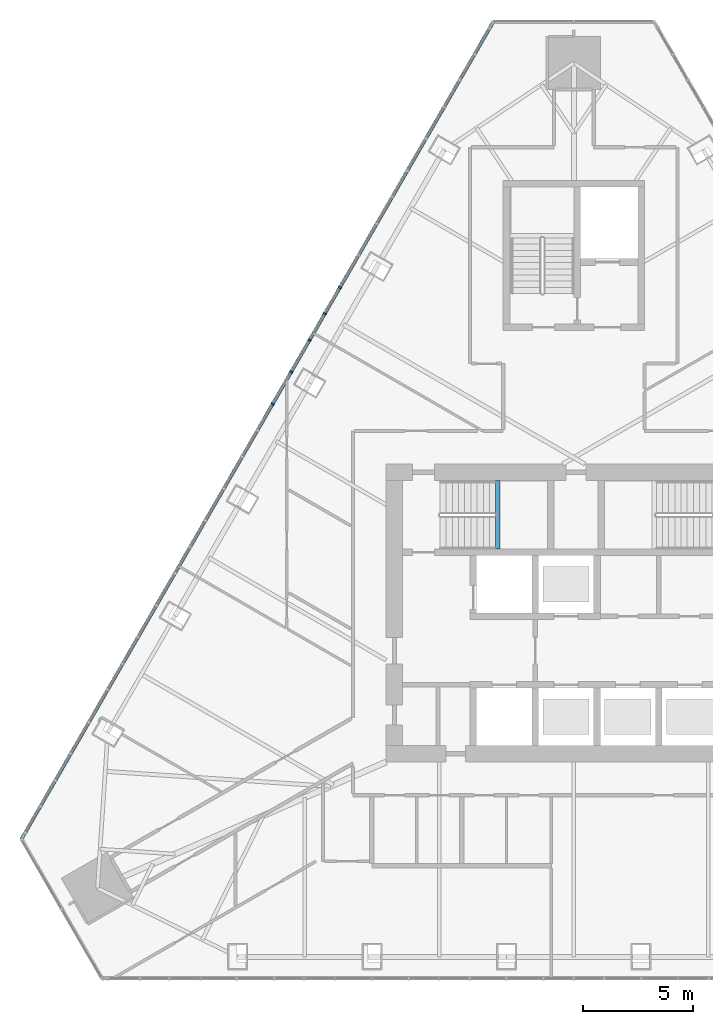
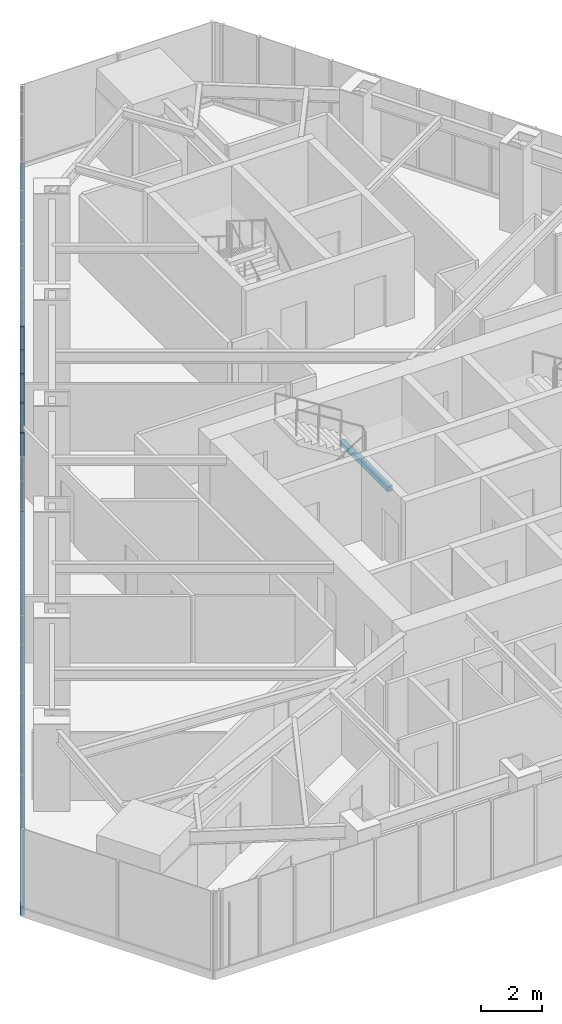
# One storey, part 5 of 20: 6 members, 1 beam, 1 element without a shape of its own.
"""IFC4 building model written with IfcOpenShell, lengths in metres."""

import ifcopenshell
import ifcopenshell.guid

model = None  # the IFC model being written
_history = None  # IfcOwnerHistory: only IFC2X3 demands one
_inside = {}  # id of a spatial element -> (the spatial element, [elements in it])
_under = {}  # id of a project, library or spatial element -> (it, [spatial elements below it])
_declared = {}  # id of a project -> (the project, [libraries it declares])
_typed = {}  # id of a type object -> (the type object, [elements of that type])
_made_of = {}  # id of a material, layer set ... -> (it, [elements and type objects made of it])


def new_model(schema):
    """Start an empty IFC model of exactly this schema.

    Asked for "IFC4X3", IfcOpenShell would pick the latest addendum, in which some entities
    have other attributes; the version numbers below select the first issue.
    IFC2X3 requires an IfcOwnerHistory on every rooted entity: one is made here for all.
    """
    global model, _history
    if schema == "IFC4X3":
        model = ifcopenshell.file(schema_version=(4, 3, 0, 0))
    else:
        model = ifcopenshell.file(schema=schema)
    _inside.clear()
    _under.clear()
    _declared.clear()
    _typed.clear()
    _made_of.clear()
    _history = None
    if model.schema == "IFC2X3":
        org = make("IfcOrganization", Name="unknown")
        user = make(
            "IfcPersonAndOrganization",
            ThePerson=make("IfcPerson", FamilyName="unknown"),
            TheOrganization=org,
        )
        app = make(
            "IfcApplication",
            ApplicationDeveloper=org,
            Version="unknown",
            ApplicationFullName="unknown",
            ApplicationIdentifier="unknown",
        )
        _history = make(
            "IfcOwnerHistory",
            OwningUser=user,
            OwningApplication=app,
            ChangeAction="ADDED",
            CreationDate=0,
        )
    return model


def make(cls, **values):
    """One entity of the class cls with the attributes given. An attribute that is None is left unset."""
    return model.create_entity(
        cls, **{name: value for name, value in values.items() if value is not None}
    )


def rooted(cls, **values):
    """An entity with a GlobalId (a new one), such as an element, a storey or a relation."""
    return make(cls, GlobalId=ifcopenshell.guid.new(), OwnerHistory=_history, **values)


def si_unit(unit_type, name, prefix=None):
    """IfcSIUnit, for example si_unit("LENGTHUNIT", "METRE", prefix="MILLI")."""
    return make("IfcSIUnit", UnitType=unit_type, Prefix=prefix, Name=name)


def assignment(units):
    """IfcUnitAssignment: the units of a project."""
    return None if units is None else make("IfcUnitAssignment", Units=units)


def point(xyz):
    """IfcCartesianPoint."""
    return None if xyz is None else make("IfcCartesianPoint", Coordinates=xyz)


def direction(xyz):
    """IfcDirection."""
    return None if xyz is None else make("IfcDirection", DirectionRatios=xyz)


def frame(location, z_axis=None, x_axis=None):
    """IfcAxis2Placement3D, a coordinate frame: its origin and axes. An axis left out is left unset."""
    return make(
        "IfcAxis2Placement3D",
        Location=point(location),
        Axis=direction(z_axis),
        RefDirection=direction(x_axis),
    )


def frame_2d(location, x_axis=None):
    """IfcAxis2Placement2D, a coordinate frame in the plane: its origin and x axis."""
    return make(
        "IfcAxis2Placement2D", Location=point(location), RefDirection=direction(x_axis)
    )


def origin():
    """The frame at (0, 0, 0) with its axes left unset."""
    return frame((0.0, 0.0, 0.0))


def origin_2d():
    """The frame at (0, 0) in the plane with its x axis left unset."""
    return frame_2d((0.0, 0.0))


def place(relative_to, where):
    """IfcLocalPlacement: puts the frame where relative to a parent placement (None: the world)."""
    return make(
        "IfcLocalPlacement", PlacementRelTo=relative_to, RelativePlacement=where
    )


def context(
    kind, dimensions, precision=None, world=None, true_north=None, identifier=None
):
    """IfcGeometricRepresentationContext, for example the 3D "Model" context."""
    return make(
        "IfcGeometricRepresentationContext",
        ContextIdentifier=identifier,
        ContextType=kind,
        CoordinateSpaceDimension=dimensions,
        Precision=precision,
        WorldCoordinateSystem=world,
        TrueNorth=true_north,
    )


def subcontext(parent, identifier, kind, view, scale=None):
    """IfcGeometricRepresentationSubContext, for example "Body" below "Model"."""
    return make(
        "IfcGeometricRepresentationSubContext",
        ContextIdentifier=identifier,
        ContextType=kind,
        ParentContext=parent,
        TargetScale=scale,
        TargetView=view,
    )


def project(units=None, contexts=None):
    """IfcProject with its units and contexts."""
    return rooted(
        "IfcProject",
        Name="project",
        RepresentationContexts=contexts,
        UnitsInContext=assignment(units),
    )


def spatial(cls, under=None, at=None, **own):
    """A site, building, storey or space (cls), placed at a placement, below another one or the project."""
    s = rooted(cls, ObjectPlacement=at, **own)
    if under is not None:
        _under.setdefault(under.id(), (under, []))[1].append(s)
    return s


def profile(cls, at=None, kind="AREA", **sizes):
    """A parametric profile (cls). Its sizes go by their IFC names, for example OverallWidth=200.0."""
    return make(cls, ProfileType=kind, Position=at, **sizes)


def rectangle(**sizes):
    """IfcRectangleProfileDef."""
    return profile("IfcRectangleProfileDef", **sizes)


def extrude(swept, where, along, depth):
    """IfcExtrudedAreaSolid: the profile swept, set in the frame where, extruded along a direction by depth."""
    return make(
        "IfcExtrudedAreaSolid",
        SweptArea=swept,
        Position=where,
        ExtrudedDirection=direction(along),
        Depth=depth,
    )


def shape(context_of_items, identifier, shape_type, items):
    """IfcShapeRepresentation: the items that make up one representation, for example the "Body"."""
    return make(
        "IfcShapeRepresentation",
        ContextOfItems=context_of_items,
        RepresentationIdentifier=identifier,
        RepresentationType=shape_type,
        Items=items,
    )


def material(Name=None, Category=None):
    """IfcMaterial."""
    return make("IfcMaterial", Name=Name, Category=Category)


def layer(
    of_material, thickness, ventilated=None, Name=None, Category=None, Priority=None
):
    """IfcMaterialLayer: one layer of a wall or slab, of a material (None: an air gap)."""
    return make(
        "IfcMaterialLayer",
        Material=of_material,
        LayerThickness=thickness,
        IsVentilated=ventilated,
        Name=Name,
        Category=Category,
        Priority=Priority,
    )


def layer_set(layers, Name=None):
    """IfcMaterialLayerSet."""
    return make("IfcMaterialLayerSet", MaterialLayers=layers, LayerSetName=Name)


def material_profile(
    of_material, cross_section, Name=None, Category=None, Priority=None
):
    """IfcMaterialProfile: a cross section and its material."""
    return make(
        "IfcMaterialProfile",
        Name=Name,
        Material=of_material,
        Profile=cross_section,
        Priority=Priority,
        Category=Category,
    )


def profile_set(profiles, Name=None, composite=None):
    """IfcMaterialProfileSet."""
    return make(
        "IfcMaterialProfileSet",
        Name=Name,
        MaterialProfiles=profiles,
        CompositeProfile=composite,
    )


def made_of(thing, what):
    """Note that an element or type object is made of a material, layer set ...; save() writes the relation."""
    if what is not None:
        _made_of.setdefault(what.id(), (what, []))[1].append(thing)
    return thing


def type_object(cls, material=None, **own):
    """A type object (cls), such as IfcWallType, which elements share."""
    return made_of(rooted(cls, **own), material)


def element(
    cls,
    number,
    at=None,
    inside=None,
    cuts=None,
    type_object=None,
    material=None,
    context=None,
    identifier="Body",
    shape_type=None,
    held_by="IfcProductDefinitionShape",
    body=None,
    shapes=None,
    **own,
):
    """One element of the class cls, such as IfcWall. Its Tag is "e" and its number.

    at: its placement. inside: the storey or other place that contains it. cuts: it is an
    opening in that element (IfcRelVoidsElement). A single representation is given by context,
    identifier, shape_type and body (its items); several are given by shapes. held_by: the class
    of the entity that holds the representations. save() writes the other relations.
    """
    e = rooted(cls, Tag="e%d" % number, ObjectPlacement=at, **own)
    if body is not None:
        shapes = [shape(context, identifier, shape_type, body)]
    if shapes is not None:
        e.Representation = make(held_by, Representations=shapes)
    if inside is not None:
        _inside.setdefault(inside.id(), (inside, []))[1].append(e)
    if cuts is not None:
        rooted(
            "IfcRelVoidsElement", RelatingBuildingElement=cuts, RelatedOpeningElement=e
        )
    if type_object is not None:
        _typed.setdefault(type_object.id(), (type_object, []))[1].append(e)
    return made_of(e, material)


def aggregate(whole, parts):
    """IfcRelAggregates: a whole, such as a stair, and the parts it consists of."""
    return rooted("IfcRelAggregates", RelatingObject=whole, RelatedObjects=parts)


def save(model, path):
    """Write the relations noted so far, then the file.

    IfcRelAggregates (storeys below a building ...), IfcRelContainedInSpatialStructure (elements
    in a storey), IfcRelDefinesByType, IfcRelAssociatesMaterial and IfcRelDeclares: one each for
    every whole, place, type object, material and project.
    """
    for whole, parts in _under.values():
        aggregate(whole, parts)
    for where, things in _inside.values():
        rooted(
            "IfcRelContainedInSpatialStructure",
            RelatedElements=things,
            RelatingStructure=where,
        )
    for kind, things in _typed.values():
        rooted("IfcRelDefinesByType", RelatedObjects=things, RelatingType=kind)
    for what, things in _made_of.values():
        rooted("IfcRelAssociatesMaterial", RelatedObjects=things, RelatingMaterial=what)
    for by, libraries in _declared.values():
        rooted("IfcRelDeclares", RelatingContext=by, RelatedDefinitions=libraries)
    model.write(path)


model = new_model("IFC4")

# Units and contexts
model_context = context("Model", 3, precision=1e-05, world=origin(), true_north=direction((0.0, 1.0)))
body_context = subcontext(model_context, "Body", "Model", "MODEL_VIEW")
ifc_project = project(units=[si_unit("LENGTHUNIT", "METRE"), si_unit("AREAUNIT", "SQUARE_METRE"), si_unit("VOLUMEUNIT", "CUBIC_METRE"), si_unit("PLANEANGLEUNIT", "RADIAN"), si_unit("MASSUNIT", "GRAM", prefix="KILO")], contexts=[model_context])

# Site, building, storey
site_placement = place(None, origin())
site = spatial("IfcSite", under=ifc_project, at=site_placement, CompositionType="ELEMENT")
building_placement = place(site_placement, origin())
building = spatial("IfcBuilding", under=site, at=building_placement, Name="Firuza Gate Tower and Library", CompositionType="ELEMENT")
storey_placement = place(building_placement, frame((0.0, 0.0, 305.60009765625)))
storey = spatial("IfcBuildingStorey", under=building, at=storey_placement, Name="L74", CompositionType="ELEMENT", Elevation=305.60009765625)

# Curtain wall, members
ifc_material_1 = material(Name="Aluminium 6063-T6", Category="aluminium")
ifc_layer = layer(ifc_material_1, 0.14990234375)
ifc_layer_set = layer_set([ifc_layer], Name="Unitised curtain wall, residences")
curtain_wall_type = type_object("IfcCurtainWallType", Name="Unitised curtain wall, residences", PredefinedType="NOTDEFINED", material=ifc_layer_set)
curtain_wall_placement = place(storey_placement, origin())
curtain_wall = element("IfcCurtainWall", 1, at=curtain_wall_placement, inside=storey, type_object=curtain_wall_type, Name="CW3 L74 W face", PredefinedType="NOTDEFINED")
ifc_material_2 = material(Name="Aluminium 6063-T6", Category="aluminium")
ifc_material_profile_1 = material_profile(ifc_material_2, rectangle(XDim=0.14990234375, YDim=0.080078125, at=origin_2d()))
ifc_profile_set_1 = profile_set([ifc_material_profile_1], Name="Aluminium 6063-T6")
member_type_1 = type_object("IfcMemberType", Name="Curtain wall mullion 80x150", PredefinedType="MULLION", material=ifc_profile_set_1)
member_1_placement = place(storey_placement, frame((63.72119140625, 88.565185546875, 0.14990234375), z_axis=(0.0, 0.0, 1.0), x_axis=(0.866025403784, -0.5, 0.0)))
member_1 = element("IfcMember", 2, at=member_1_placement, type_object=member_type_1, Name="Mullion", PredefinedType="MULLION", context=body_context, shape_type="SweptSolid", body=[
    extrude(rectangle(XDim=0.14990234375, YDim=0.080078125, at=origin_2d()), origin(), (0.0, 0.0, 1.0), 3.14990234375),
])
member_2_placement = place(storey_placement, frame((62.194091796875, 85.920166015625, 0.14990234375), z_axis=(0.0, 0.0, 1.0), x_axis=(0.866025403784, -0.5, 0.0)))
member_2 = element("IfcMember", 3, at=member_2_placement, type_object=member_type_1, Name="Mullion", PredefinedType="MULLION", context=body_context, shape_type="SweptSolid", body=[
    extrude(rectangle(XDim=0.14990234375, YDim=0.080078125, at=origin_2d()), origin(), (0.0, 0.0, 1.0), 3.14990234375),
])
member_3_placement = place(storey_placement, frame((64.404296875, 89.748291015625, 0.14990234375), z_axis=(0.0, 0.0, 1.0), x_axis=(0.866025403784, -0.5, 0.0)))
member_3 = element("IfcMember", 4, at=member_3_placement, type_object=member_type_1, Name="Mullion", PredefinedType="MULLION", context=body_context, shape_type="SweptSolid", body=[
    extrude(rectangle(XDim=0.14990234375, YDim=0.080078125, at=origin_2d()), origin(), (0.0, 0.0, 1.0), 3.14990234375),
])
member_4_placement = place(storey_placement, frame((63.025634765625, 87.360595703125, 0.14990234375), z_axis=(0.0, 0.0, 1.0), x_axis=(0.866025403784, -0.5, 0.0)))
member_4 = element("IfcMember", 5, at=member_4_placement, type_object=member_type_1, Name="Mullion", PredefinedType="MULLION", context=body_context, shape_type="SweptSolid", body=[
    extrude(rectangle(XDim=0.14990234375, YDim=0.080078125, at=origin_2d()), origin(), (0.0, 0.0, 1.0), 3.14990234375),
])
member_5_placement = place(storey_placement, frame((61.3564453125, 84.468994140625, 0.14990234375), z_axis=(0.0, 0.0, 1.0), x_axis=(0.866025403784, -0.5, 0.0)))
member_5 = element("IfcMember", 6, at=member_5_placement, type_object=member_type_1, Name="Mullion", PredefinedType="MULLION", context=body_context, shape_type="SweptSolid", body=[
    extrude(rectangle(XDim=0.14990234375, YDim=0.080078125, at=origin_2d()), origin(), (0.0, 0.0, 1.0), 3.14990234375),
])
ifc_material_3 = material(Name="Aluminium 6063-T6", Category="aluminium")
ifc_material_profile_2 = material_profile(ifc_material_3, rectangle(XDim=0.14990234375, YDim=0.35009765625, at=origin_2d()))
ifc_profile_set_2 = profile_set([ifc_material_profile_2], Name="Aluminium 6063-T6")
member_type_2 = type_object("IfcMemberType", Name="Curtain wall transom 350x150", PredefinedType="USERDEFINED", material=ifc_profile_set_2)
member_6_placement = place(storey_placement, frame((71.356689453125, 101.7900390625, -0.025146484375), z_axis=(-0.500001704016, -0.866024419968, 0.0), x_axis=(0.866024419968, -0.500001704016, 0.0)))
member_6 = element("IfcMember", 7, at=member_6_placement, type_object=member_type_2, Name="Transom", ObjectType="TRANSOM", PredefinedType="USERDEFINED", context=body_context, shape_type="SweptSolid", body=[
    extrude(rectangle(XDim=0.14990234375, YDim=0.35009765625, at=origin_2d()), origin(), (0.0, 0.0, 1.0), 42.758544921875),
])
aggregate(curtain_wall, [member_1, member_2, member_6, member_3, member_4, member_5])

# Beam
ifc_material_4 = material(Name="Concrete C35/45", Category="concrete")
ifc_material_profile_3 = material_profile(ifc_material_4, rectangle(XDim=0.199951171875, YDim=0.199951171875, at=origin_2d()))
ifc_profile_set_3 = profile_set([ifc_material_profile_3], Name="Concrete C35/45")
beam_type = type_object("IfcBeamType", Name="Stair landing bearer 200x200", PredefinedType="BEAM", material=ifc_profile_set_3)
beam_placement = place(storey_placement, frame((71.56005859375, 77.89990234375, 1.449951171875), z_axis=(0.0, 1.0, 0.0), x_axis=(-1.0, 0.0, 0.0)))
element("IfcBeam", 8, at=beam_placement, inside=storey, type_object=beam_type, Name="Landing bearer L74 stair 1", PredefinedType="BEAM", context=body_context, shape_type="SweptSolid", body=[
    extrude(rectangle(XDim=0.199951171875, YDim=0.199951171875, at=origin_2d()), origin(), (0.0, 0.0, 1.0), 3.10009765625),
])

save(model, "model.ifc")
